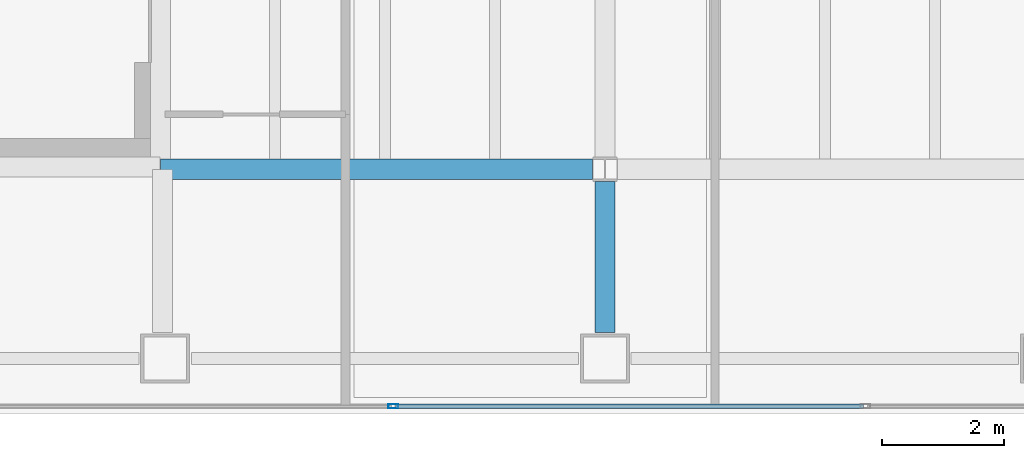
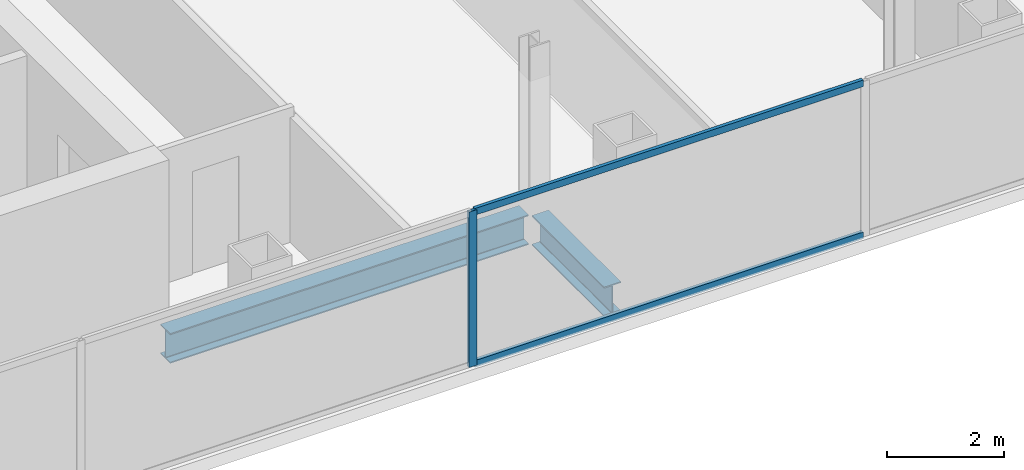
# One storey, part 4 of 23: 3 members, 2 beams, 1 element without a shape of its own.
"""IFC4 building model written with IfcOpenShell, lengths in metres."""

import ifcopenshell
import ifcopenshell.guid

model = None  # the IFC model being written
_history = None  # IfcOwnerHistory: only IFC2X3 demands one
_inside = {}  # id of a spatial element -> (the spatial element, [elements in it])
_under = {}  # id of a project, library or spatial element -> (it, [spatial elements below it])
_declared = {}  # id of a project -> (the project, [libraries it declares])
_typed = {}  # id of a type object -> (the type object, [elements of that type])
_made_of = {}  # id of a material, layer set ... -> (it, [elements and type objects made of it])


def new_model(schema):
    """Start an empty IFC model of exactly this schema.

    Asked for "IFC4X3", IfcOpenShell would pick the latest addendum, in which some entities
    have other attributes; the version numbers below select the first issue.
    IFC2X3 requires an IfcOwnerHistory on every rooted entity: one is made here for all.
    """
    global model, _history
    if schema == "IFC4X3":
        model = ifcopenshell.file(schema_version=(4, 3, 0, 0))
    else:
        model = ifcopenshell.file(schema=schema)
    _inside.clear()
    _under.clear()
    _declared.clear()
    _typed.clear()
    _made_of.clear()
    _history = None
    if model.schema == "IFC2X3":
        org = make("IfcOrganization", Name="unknown")
        user = make(
            "IfcPersonAndOrganization",
            ThePerson=make("IfcPerson", FamilyName="unknown"),
            TheOrganization=org,
        )
        app = make(
            "IfcApplication",
            ApplicationDeveloper=org,
            Version="unknown",
            ApplicationFullName="unknown",
            ApplicationIdentifier="unknown",
        )
        _history = make(
            "IfcOwnerHistory",
            OwningUser=user,
            OwningApplication=app,
            ChangeAction="ADDED",
            CreationDate=0,
        )
    return model


def make(cls, **values):
    """One entity of the class cls with the attributes given. An attribute that is None is left unset."""
    return model.create_entity(
        cls, **{name: value for name, value in values.items() if value is not None}
    )


def rooted(cls, **values):
    """An entity with a GlobalId (a new one), such as an element, a storey or a relation."""
    return make(cls, GlobalId=ifcopenshell.guid.new(), OwnerHistory=_history, **values)


def si_unit(unit_type, name, prefix=None):
    """IfcSIUnit, for example si_unit("LENGTHUNIT", "METRE", prefix="MILLI")."""
    return make("IfcSIUnit", UnitType=unit_type, Prefix=prefix, Name=name)


def assignment(units):
    """IfcUnitAssignment: the units of a project."""
    return None if units is None else make("IfcUnitAssignment", Units=units)


def point(xyz):
    """IfcCartesianPoint."""
    return None if xyz is None else make("IfcCartesianPoint", Coordinates=xyz)


def direction(xyz):
    """IfcDirection."""
    return None if xyz is None else make("IfcDirection", DirectionRatios=xyz)


def frame(location, z_axis=None, x_axis=None):
    """IfcAxis2Placement3D, a coordinate frame: its origin and axes. An axis left out is left unset."""
    return make(
        "IfcAxis2Placement3D",
        Location=point(location),
        Axis=direction(z_axis),
        RefDirection=direction(x_axis),
    )


def frame_2d(location, x_axis=None):
    """IfcAxis2Placement2D, a coordinate frame in the plane: its origin and x axis."""
    return make(
        "IfcAxis2Placement2D", Location=point(location), RefDirection=direction(x_axis)
    )


def origin():
    """The frame at (0, 0, 0) with its axes left unset."""
    return frame((0.0, 0.0, 0.0))


def origin_2d():
    """The frame at (0, 0) in the plane with its x axis left unset."""
    return frame_2d((0.0, 0.0))


def place(relative_to, where):
    """IfcLocalPlacement: puts the frame where relative to a parent placement (None: the world)."""
    return make(
        "IfcLocalPlacement", PlacementRelTo=relative_to, RelativePlacement=where
    )


def context(
    kind, dimensions, precision=None, world=None, true_north=None, identifier=None
):
    """IfcGeometricRepresentationContext, for example the 3D "Model" context."""
    return make(
        "IfcGeometricRepresentationContext",
        ContextIdentifier=identifier,
        ContextType=kind,
        CoordinateSpaceDimension=dimensions,
        Precision=precision,
        WorldCoordinateSystem=world,
        TrueNorth=true_north,
    )


def subcontext(parent, identifier, kind, view, scale=None):
    """IfcGeometricRepresentationSubContext, for example "Body" below "Model"."""
    return make(
        "IfcGeometricRepresentationSubContext",
        ContextIdentifier=identifier,
        ContextType=kind,
        ParentContext=parent,
        TargetScale=scale,
        TargetView=view,
    )


def project(units=None, contexts=None):
    """IfcProject with its units and contexts."""
    return rooted(
        "IfcProject",
        Name="project",
        RepresentationContexts=contexts,
        UnitsInContext=assignment(units),
    )


def spatial(cls, under=None, at=None, **own):
    """A site, building, storey or space (cls), placed at a placement, below another one or the project."""
    s = rooted(cls, ObjectPlacement=at, **own)
    if under is not None:
        _under.setdefault(under.id(), (under, []))[1].append(s)
    return s


def profile(cls, at=None, kind="AREA", **sizes):
    """A parametric profile (cls). Its sizes go by their IFC names, for example OverallWidth=200.0."""
    return make(cls, ProfileType=kind, Position=at, **sizes)


def hollow_rectangle(**sizes):
    """IfcRectangleHollowProfileDef."""
    return profile("IfcRectangleHollowProfileDef", **sizes)


def i_section(**sizes):
    """IfcIShapeProfileDef."""
    return profile("IfcIShapeProfileDef", **sizes)


def extrude(swept, where, along, depth):
    """IfcExtrudedAreaSolid: the profile swept, set in the frame where, extruded along a direction by depth."""
    return make(
        "IfcExtrudedAreaSolid",
        SweptArea=swept,
        Position=where,
        ExtrudedDirection=direction(along),
        Depth=depth,
    )


def shape(context_of_items, identifier, shape_type, items):
    """IfcShapeRepresentation: the items that make up one representation, for example the "Body"."""
    return make(
        "IfcShapeRepresentation",
        ContextOfItems=context_of_items,
        RepresentationIdentifier=identifier,
        RepresentationType=shape_type,
        Items=items,
    )


def material(Name=None, Category=None):
    """IfcMaterial."""
    return make("IfcMaterial", Name=Name, Category=Category)


def material_profile(
    of_material, cross_section, Name=None, Category=None, Priority=None
):
    """IfcMaterialProfile: a cross section and its material."""
    return make(
        "IfcMaterialProfile",
        Name=Name,
        Material=of_material,
        Profile=cross_section,
        Priority=Priority,
        Category=Category,
    )


def profile_set(profiles, Name=None, composite=None):
    """IfcMaterialProfileSet."""
    return make(
        "IfcMaterialProfileSet",
        Name=Name,
        MaterialProfiles=profiles,
        CompositeProfile=composite,
    )


def made_of(thing, what):
    """Note that an element or type object is made of a material, layer set ...; save() writes the relation."""
    if what is not None:
        _made_of.setdefault(what.id(), (what, []))[1].append(thing)
    return thing


def type_object(cls, material=None, **own):
    """A type object (cls), such as IfcWallType, which elements share."""
    return made_of(rooted(cls, **own), material)


def element(
    cls,
    number,
    at=None,
    inside=None,
    cuts=None,
    type_object=None,
    material=None,
    context=None,
    identifier="Body",
    shape_type=None,
    held_by="IfcProductDefinitionShape",
    body=None,
    shapes=None,
    **own,
):
    """One element of the class cls, such as IfcWall. Its Tag is "e" and its number.

    at: its placement. inside: the storey or other place that contains it. cuts: it is an
    opening in that element (IfcRelVoidsElement). A single representation is given by context,
    identifier, shape_type and body (its items); several are given by shapes. held_by: the class
    of the entity that holds the representations. save() writes the other relations.
    """
    e = rooted(cls, Tag="e%d" % number, ObjectPlacement=at, **own)
    if body is not None:
        shapes = [shape(context, identifier, shape_type, body)]
    if shapes is not None:
        e.Representation = make(held_by, Representations=shapes)
    if inside is not None:
        _inside.setdefault(inside.id(), (inside, []))[1].append(e)
    if cuts is not None:
        rooted(
            "IfcRelVoidsElement", RelatingBuildingElement=cuts, RelatedOpeningElement=e
        )
    if type_object is not None:
        _typed.setdefault(type_object.id(), (type_object, []))[1].append(e)
    return made_of(e, material)


def aggregate(whole, parts):
    """IfcRelAggregates: a whole, such as a stair, and the parts it consists of."""
    return rooted("IfcRelAggregates", RelatingObject=whole, RelatedObjects=parts)


def save(model, path):
    """Write the relations noted so far, then the file.

    IfcRelAggregates (storeys below a building ...), IfcRelContainedInSpatialStructure (elements
    in a storey), IfcRelDefinesByType, IfcRelAssociatesMaterial and IfcRelDeclares: one each for
    every whole, place, type object, material and project.
    """
    for whole, parts in _under.values():
        aggregate(whole, parts)
    for where, things in _inside.values():
        rooted(
            "IfcRelContainedInSpatialStructure",
            RelatedElements=things,
            RelatingStructure=where,
        )
    for kind, things in _typed.values():
        rooted("IfcRelDefinesByType", RelatedObjects=things, RelatingType=kind)
    for what, things in _made_of.values():
        rooted("IfcRelAssociatesMaterial", RelatedObjects=things, RelatingMaterial=what)
    for by, libraries in _declared.values():
        rooted("IfcRelDeclares", RelatingContext=by, RelatedDefinitions=libraries)
    model.write(path)


model = new_model("IFC4")

# Units and contexts
model_context = context("Model", 3, precision=1e-05, world=origin(), true_north=direction((0.0, 1.0)))
body_context = subcontext(model_context, "Body", "Model", "MODEL_VIEW")
ifc_project = project(units=[si_unit("LENGTHUNIT", "METRE"), si_unit("AREAUNIT", "SQUARE_METRE"), si_unit("VOLUMEUNIT", "CUBIC_METRE"), si_unit("PLANEANGLEUNIT", "RADIAN"), si_unit("MASSUNIT", "GRAM", prefix="KILO")], contexts=[model_context])

# Site, building, storey
site_placement = place(None, origin())
site = spatial("IfcSite", under=ifc_project, at=site_placement, CompositionType="ELEMENT")
building_placement = place(site_placement, origin())
building = spatial("IfcBuilding", under=site, at=building_placement, Name="Cobrela Telecom Tower", CompositionType="ELEMENT")
storey_placement = place(building_placement, frame((0.0, 0.0, 187.25)))
storey = spatial("IfcBuildingStorey", under=building, at=storey_placement, Name="L47", CompositionType="ELEMENT", Elevation=187.25)

# Beams
ifc_material_1 = material(Name="Steel ASTM A992 Grade 50", Category="steel")
ifc_material_profile_1 = material_profile(ifc_material_1, i_section(OverallWidth=0.327880859375, OverallDepth=0.6220703125, WebThickness=0.015380859375, FlangeThickness=0.0244140625, FilletRadius=0.014892578125, at=origin_2d()), Name="W24X131")
ifc_profile_set_1 = profile_set([ifc_material_profile_1], Name="Steel ASTM A992 Grade 50")
beam_type = type_object("IfcBeamType", Name="BM-GIRD-06", PredefinedType="USERDEFINED", material=ifc_profile_set_1)
beam_1_placement = place(storey_placement, frame((14.324951171875, 7.199951171875, -0.571044921875), z_axis=(1.0, 0.0, 0.0), x_axis=(0.0, 1.0, 0.0)))
element("IfcBeam", 1, at=beam_1_placement, inside=storey, type_object=beam_type, Name="L47 Primary Girder X07", ObjectType="GIRDER", PredefinedType="USERDEFINED", context=body_context, shape_type="SweptSolid", body=[
    extrude(i_section(OverallWidth=0.327880859375, OverallDepth=0.6220703125, WebThickness=0.015380859375, FlangeThickness=0.0244140625, FilletRadius=0.014892578125, at=origin_2d()), origin(), (0.0, 0.0, 1.0), 7.070556640625),
])
beam_2_placement = place(storey_placement, frame((21.60009765625, 4.530029296875, -0.571044921875), z_axis=(0.0, 1.0, 0.0), x_axis=(-1.0, 0.0, 0.0)))
element("IfcBeam", 2, at=beam_2_placement, inside=storey, type_object=beam_type, Name="L47 Primary Girder Y32", ObjectType="GIRDER", PredefinedType="USERDEFINED", context=body_context, shape_type="SweptSolid", body=[
    extrude(i_section(OverallWidth=0.327880859375, OverallDepth=0.6220703125, WebThickness=0.015380859375, FlangeThickness=0.0244140625, FilletRadius=0.014892578125, at=origin_2d()), origin(), (0.0, 0.0, 1.0), 2.465576171875),
])

# Curtain wall, members
ifc_material_2 = material(Name="Anodized Bronze Aluminium 6063-T6", Category="aluminium")
curtain_wall_type = type_object("IfcCurtainWallType", Name="CW-SYS-OFF-LO", PredefinedType="USERDEFINED", material=ifc_material_2)
curtain_wall_placement = place(storey_placement, origin())
curtain_wall = element("IfcCurtainWall", 3, at=curtain_wall_placement, inside=storey, type_object=curtain_wall_type, Name="L47 Unitised Bronze Curtain Wall 17", ObjectType="UNITISED CURTAIN WALL", PredefinedType="USERDEFINED")
ifc_material_profile_2 = material_profile(ifc_material_2, hollow_rectangle(XDim=0.070068359375, YDim=0.159912109375, WallThickness=0.00390625, at=origin_2d()), Name="ALU 70x160x4")
ifc_profile_set_2 = profile_set([ifc_material_profile_2], Name="Anodized Bronze Aluminium 6063-T6")
member_type_1 = type_object("IfcMemberType", Name="CW-SYS-OFF-LO-MUL", PredefinedType="MULLION", material=ifc_profile_set_2)
member_1_placement = place(storey_placement, frame((18.134033203125, 3.320068359375, 0.0), z_axis=(0.0, 0.0, 1.0), x_axis=(0.0, -1.0, 0.0)))
member_1 = element("IfcMember", 4, at=member_1_placement, type_object=member_type_1, Name="CW-OFF-LO mullion 4", PredefinedType="MULLION", context=body_context, shape_type="SweptSolid", body=[
    extrude(hollow_rectangle(XDim=0.070068359375, YDim=0.159912109375, WallThickness=0.00390625, at=origin_2d()), origin(), (0.0, 0.0, 1.0), 3.239990234375),
])
ifc_material_profile_3 = material_profile(ifc_material_2, hollow_rectangle(XDim=0.070068359375, YDim=0.139892578125, WallThickness=0.00390625, at=origin_2d()), Name="ALU 70x140x4")
ifc_profile_set_3 = profile_set([ifc_material_profile_3], Name="Anodized Bronze Aluminium 6063-T6")
member_type_2 = type_object("IfcMemberType", Name="CW-SYS-OFF-LO-TRN", PredefinedType="USERDEFINED", material=ifc_profile_set_3)
member_2_placement = place(storey_placement, frame((25.8310546875, 3.320068359375, 0.034912109375), z_axis=(-1.0, 0.0, 0.0), x_axis=(0.0, -1.0, 0.0)))
member_2 = element("IfcMember", 5, at=member_2_placement, type_object=member_type_2, Name="CW-OFF-LO transom 3.1", ObjectType="TRANSOM", PredefinedType="USERDEFINED", context=body_context, shape_type="SweptSolid", body=[
    extrude(hollow_rectangle(XDim=0.070068359375, YDim=0.139892578125, WallThickness=0.00390625, at=origin_2d()), origin(), (0.0, 0.0, 1.0), 7.662109375),
])
member_3_placement = place(storey_placement, frame((25.8310546875, 3.320068359375, 3.205078125), z_axis=(-1.0, 0.0, 0.0), x_axis=(0.0, -1.0, 0.0)))
member_3 = element("IfcMember", 6, at=member_3_placement, type_object=member_type_2, Name="CW-OFF-LO transom 3.2", ObjectType="TRANSOM", PredefinedType="USERDEFINED", context=body_context, shape_type="SweptSolid", body=[
    extrude(hollow_rectangle(XDim=0.070068359375, YDim=0.139892578125, WallThickness=0.00390625, at=origin_2d()), origin(), (0.0, 0.0, 1.0), 7.662109375),
])
aggregate(curtain_wall, [member_1, member_2, member_3])

save(model, "model.ifc")
